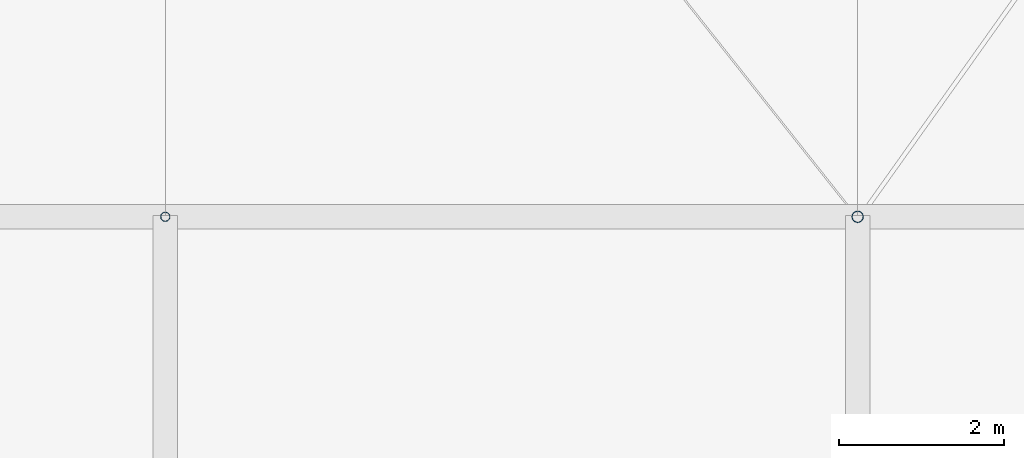
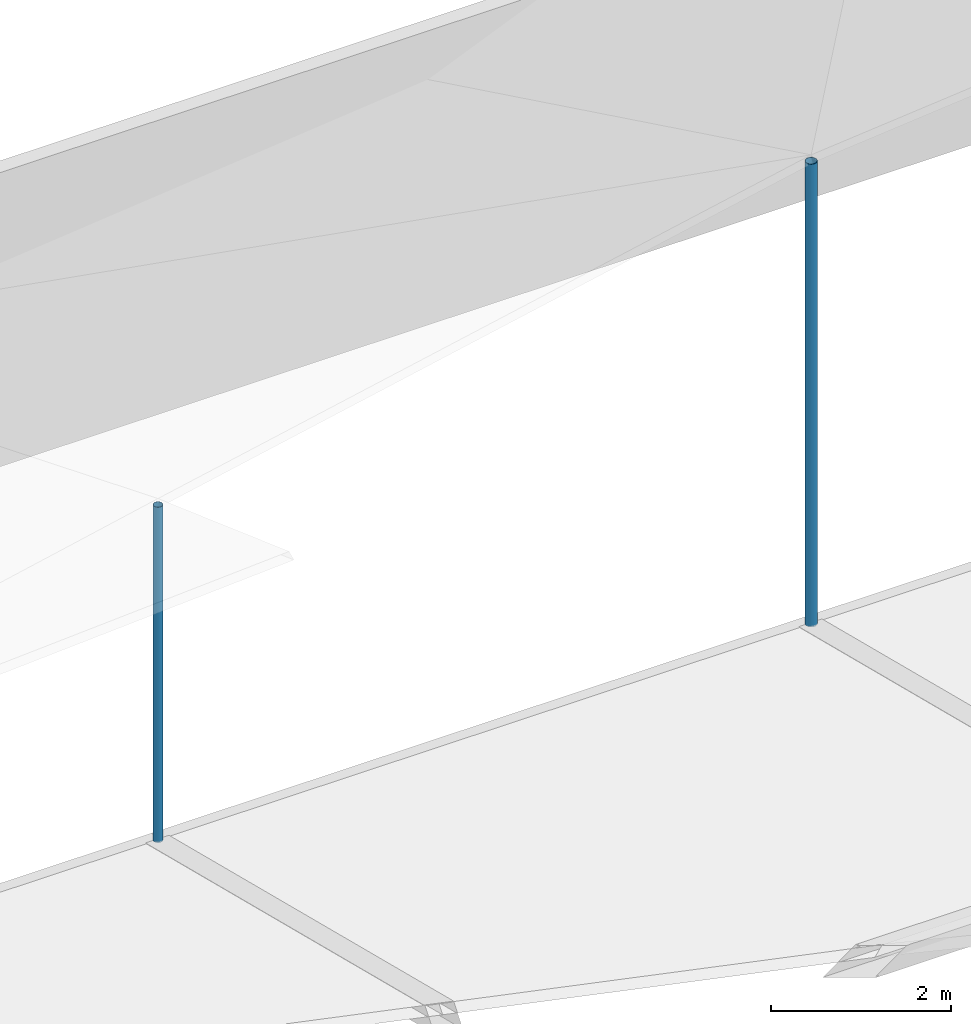
# One storey, part 64 of 111: 2 discrete accessories.
"""IFC4 building model written with IfcOpenShell, lengths in metres."""

from ifc_helpers import new_model, si_unit, direction, frame, origin, origin_2d, place, context, subcontext, project, spatial, hollow_circle, extrude, material, material_profile, profile_set, type_object, element, save


model = new_model("IFC4")

# Units and contexts
model_context = context("Model", 3, precision=1e-05, world=origin(), true_north=direction((0.0, 1.0)))
body_context = subcontext(model_context, "Body", "Model", "MODEL_VIEW")
ifc_project = project(units=[si_unit("LENGTHUNIT", "METRE"), si_unit("AREAUNIT", "SQUARE_METRE"), si_unit("VOLUMEUNIT", "CUBIC_METRE"), si_unit("PLANEANGLEUNIT", "RADIAN"), si_unit("MASSUNIT", "GRAM", prefix="KILO")], contexts=[model_context])

# Site, building, storey
site_placement = place(None, origin())
site = spatial("IfcSite", under=ifc_project, at=site_placement, CompositionType="ELEMENT")
building_placement = place(site_placement, origin())
building = spatial("IfcBuilding", under=site, at=building_placement, Name="Rain Tree Exposition and Congress Centre", CompositionType="ELEMENT")
storey_placement = place(building_placement, frame((0.0, 0.0, 19.5)))
storey = spatial("IfcBuildingStorey", under=building, at=storey_placement, Name="RF", CompositionType="ELEMENT", Elevation=19.5)

# Discrete accessories
ifc_material_1 = material(Name="Steel S355J2H", Category="steel")
ifc_material_profile_1 = material_profile(ifc_material_1, hollow_circle(Radius=0.05712890625, WallThickness=0.00439453125, at=origin_2d()), Name="CHS 114x4.5")
ifc_profile_set_1 = profile_set([ifc_material_profile_1], Name="Steel S355J2H")
discrete_accessory_type_1 = type_object("IfcDiscreteAccessoryType", Name="Roof skin post CHS 114x4.5", PredefinedType="BRACKET", material=ifc_profile_set_1)
discrete_accessory_1_placement = place(storey_placement, frame((25.199951171875, 193.199951171875, 1.11669921875), z_axis=(0.0, 0.0, 1.0), x_axis=(1.0, 0.0, 0.0)))
element("IfcDiscreteAccessory", 1, at=discrete_accessory_1_placement, inside=storey, type_object=discrete_accessory_type_1, Name="Roof skin post A168", PredefinedType="BRACKET", context=body_context, shape_type="SweptSolid", body=[
    extrude(hollow_circle(Radius=0.05712890625, WallThickness=0.00439453125, at=origin_2d()), origin(), (0.0, 0.0, 1.0), 4.56201171875),
])
ifc_material_2 = material(Name="Steel S355J2H", Category="steel")
ifc_material_profile_2 = material_profile(ifc_material_2, hollow_circle(Radius=0.06982421875, WallThickness=0.0048828125, at=origin_2d()), Name="CHS 140x5")
ifc_profile_set_2 = profile_set([ifc_material_profile_2], Name="Steel S355J2H")
discrete_accessory_type_2 = type_object("IfcDiscreteAccessoryType", Name="Roof skin post CHS 140x5", PredefinedType="BRACKET", material=ifc_profile_set_2)
discrete_accessory_2_placement = place(storey_placement, frame((33.60009765625, 193.199951171875, 1.11669921875), z_axis=(0.0, 0.0, 1.0), x_axis=(1.0, 0.0, 0.0)))
element("IfcDiscreteAccessory", 2, at=discrete_accessory_2_placement, inside=storey, type_object=discrete_accessory_type_2, Name="Roof skin post A169", PredefinedType="BRACKET", context=body_context, shape_type="SweptSolid", body=[
    extrude(hollow_circle(Radius=0.06982421875, WallThickness=0.0048828125, at=origin_2d()), origin(), (0.0, 0.0, 1.0), 6.294189453125),
])

save(model, "model.ifc")
